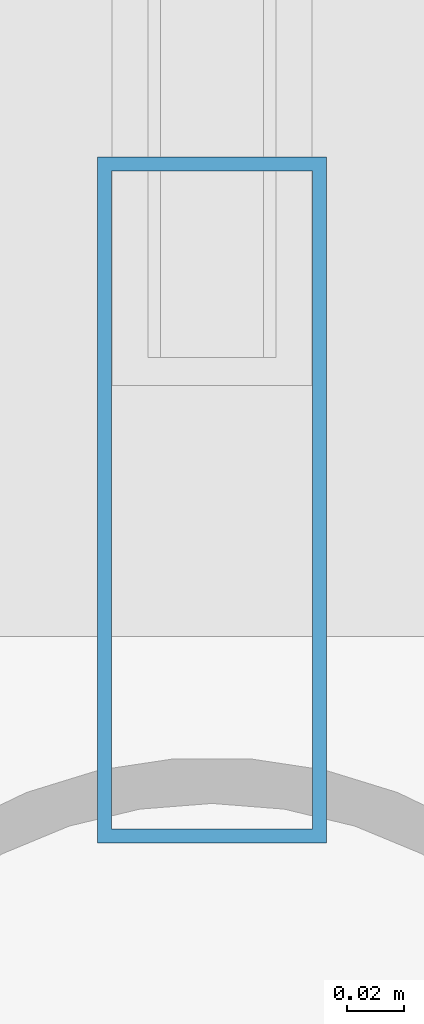
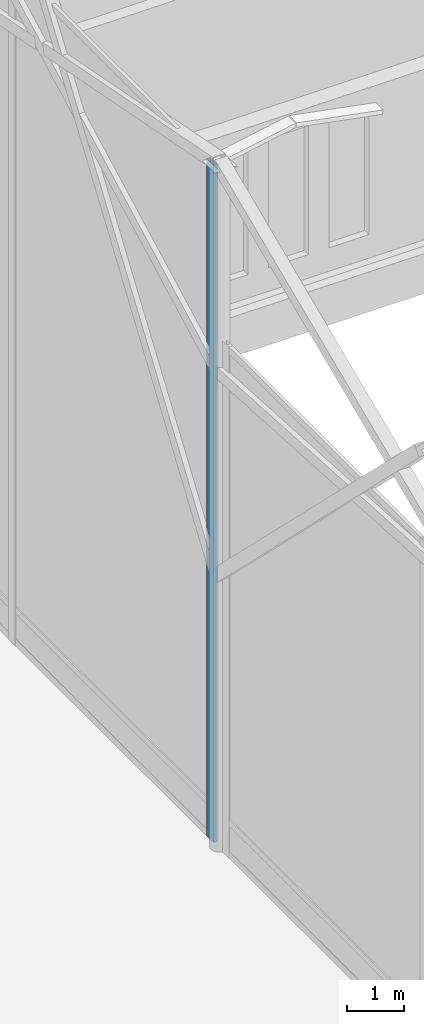
# One storey, part 67 of 220: 1 member, 1 element without a shape of its own.
"""IFC4 building model written with IfcOpenShell, lengths in metres."""

from ifc_helpers import new_model, si_unit, direction, frame, origin, origin_2d, place, context, subcontext, project, spatial, hollow_rectangle, extrude, material, material_profile, profile_set, type_object, element, aggregate, save


model = new_model("IFC4")

# Units and contexts
model_context = context("Model", 3, precision=1e-05, world=origin(), true_north=direction((0.0, 1.0)))
body_context = subcontext(model_context, "Body", "Model", "MODEL_VIEW")
ifc_project = project(units=[si_unit("LENGTHUNIT", "METRE"), si_unit("AREAUNIT", "SQUARE_METRE"), si_unit("VOLUMEUNIT", "CUBIC_METRE"), si_unit("PLANEANGLEUNIT", "RADIAN"), si_unit("MASSUNIT", "GRAM", prefix="KILO")], contexts=[model_context])

# Site, building, storey
site_placement = place(None, origin())
site = spatial("IfcSite", under=ifc_project, at=site_placement, CompositionType="ELEMENT")
building_placement = place(site_placement, origin())
building = spatial("IfcBuilding", under=site, at=building_placement, Name="Cendralis Lancet Convention Centre", CompositionType="ELEMENT")
storey_placement = place(building_placement, frame((0.0, 0.0, 5.39990234375)))
storey = spatial("IfcBuildingStorey", under=building, at=storey_placement, Name="L01", CompositionType="ELEMENT", Elevation=5.39990234375)

# Curtain wall, member
ifc_material = material(Name="Anodised bronze architectural aluminium", Category="aluminium")
curtain_wall_type = type_object("IfcCurtainWallType", Name="ARC-CW-GB02", PredefinedType="USERDEFINED", material=ifc_material)
curtain_wall_placement = place(storey_placement, origin())
curtain_wall = element("IfcCurtainWall", 1, at=curtain_wall_placement, inside=storey, type_object=curtain_wall_type, Name="L01 Curtain Wall CW-GB2 #107", ObjectType="CURTAIN WALL", PredefinedType="USERDEFINED")
ifc_material_profile = material_profile(ifc_material, hollow_rectangle(XDim=0.080078125, YDim=0.239990234375, WallThickness=0.0048828125, at=origin_2d()), Name="AL-MULL 80x240x5.0")
ifc_profile_set = profile_set([ifc_material_profile], Name="Anodised bronze architectural aluminium")
member_type = type_object("IfcMemberType", Name="ARC-CW-ML03", PredefinedType="MULLION", material=ifc_profile_set)
member_placement = place(storey_placement, frame((122.39990234375, 79.4677734375, 0.0), z_axis=(0.0, 0.0, 1.0), x_axis=(1.0, 0.0, 0.0)))
member = element("IfcMember", 2, at=member_placement, type_object=member_type, Name="Mullion CW2-CW-GB2-L01-107-M2", PredefinedType="MULLION", context=body_context, shape_type="SweptSolid", body=[
    extrude(hollow_rectangle(XDim=0.080078125, YDim=0.239990234375, WallThickness=0.0048828125, at=origin_2d()), origin(), (0.0, 0.0, 1.0), 14.4560546875),
])
aggregate(curtain_wall, [member])

save(model, "model.ifc")
